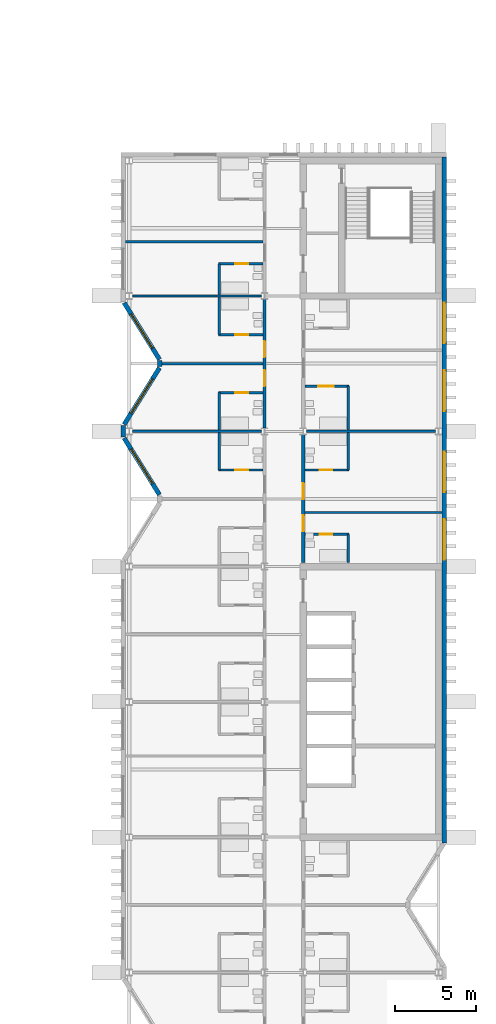
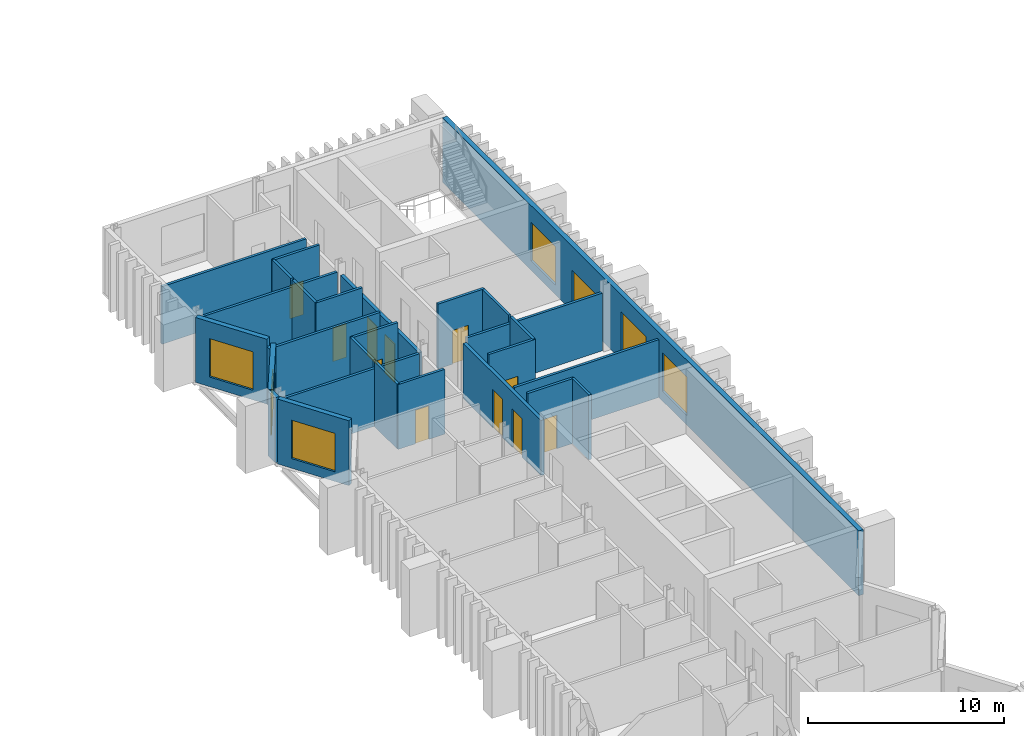
# One storey, part 15 of 20: 28 walls, 11 doors, 7 windows, 18 openings.
"""IFC4 building model written with IfcOpenShell, lengths in metres."""

from ifc_helpers import new_model, si_unit, direction, frame, frame_2d, origin, place, context, subcontext, project, spatial, rectangle, extrude, material, layer, layer_set, type_object, element, fill, save


model = new_model("IFC4")

# Units and contexts
model_context = context("Model", 3, precision=1e-05, world=origin(), true_north=direction((0.0, 1.0)))
body_context = subcontext(model_context, "Body", "Model", "MODEL_VIEW")
ifc_project = project(units=[si_unit("LENGTHUNIT", "METRE"), si_unit("AREAUNIT", "SQUARE_METRE"), si_unit("VOLUMEUNIT", "CUBIC_METRE"), si_unit("PLANEANGLEUNIT", "RADIAN"), si_unit("MASSUNIT", "GRAM", prefix="KILO")], contexts=[model_context])

# Site, building, storey
site_placement = place(None, origin())
site = spatial("IfcSite", under=ifc_project, at=site_placement, CompositionType="ELEMENT")
building_placement = place(site_placement, origin())
building = spatial("IfcBuilding", under=site, at=building_placement, Name="Cresset Court Congress Hotel", CompositionType="ELEMENT")
storey_placement = place(building_placement, frame((0.0, 0.0, 27.0)))
storey = spatial("IfcBuildingStorey", under=building, at=storey_placement, Name="L06", CompositionType="ELEMENT", Elevation=27.0)

# Wall, openings, doors
ifc_material_1 = material(Name="Gypsum board partition")
ifc_layer_1 = layer(ifc_material_1, 0.199951171875)
ifc_layer_set_1 = layer_set([ifc_layer_1], Name="Corridor wall 200")
wall_type_1 = type_object("IfcWallType", Name="Corridor wall 200", PredefinedType="PARTITIONING", material=ifc_layer_set_1)
wall_1_placement = place(storey_placement, frame((165.60009765625, 50.60009765625, 0.0), z_axis=(0.0, 0.0, 1.0), x_axis=(0.0, 1.0, 0.0)))
wall_1 = element("IfcWall", 1, at=wall_1_placement, inside=storey, type_object=wall_type_1, Name="A.wl.L06.076", PredefinedType="PARTITIONING", context=body_context, shape_type="SweptSolid", body=[
    extrude(rectangle(XDim=8.0, YDim=0.199951171875, at=frame_2d((4.0, 0.0))), origin(), (0.0, 0.0, 1.0), 3.449951171875),
])
opening_1_placement = place(wall_1_placement, frame((2.60009765625, 0.0, 0.0)))
opening_1 = element("IfcOpeningElement", 2, at=opening_1_placement, cuts=wall_1, Name="Opening DA-06-26", PredefinedType="OPENING", context=body_context, shape_type="SweptSolid", body=[
    extrude(rectangle(XDim=1.0, YDim=2.39990234375, at=frame_2d((0.5, 1.199951171875))), frame((0.0, 0.10986328125, 0.0), z_axis=(0.0, -1.0, 0.0), x_axis=(1.0, 0.0, 0.0)), (0.0, 0.0, 1.0), 0.219970703125),
])
opening_2_placement = place(wall_1_placement, frame((4.39990234375, 0.0, 0.0)))
opening_2 = element("IfcOpeningElement", 3, at=opening_2_placement, cuts=wall_1, Name="Opening DA-06-28", PredefinedType="OPENING", context=body_context, shape_type="SweptSolid", body=[
    extrude(rectangle(XDim=1.0, YDim=2.39990234375, at=frame_2d((0.5, 1.199951171875))), frame((0.0, 0.10986328125, 0.0), z_axis=(0.0, -1.0, 0.0), x_axis=(1.0, 0.0, 0.0)), (0.0, 0.0, 1.0), 0.219970703125),
])
ifc_material_2 = material(Name="timber", Category="wood")
door_type_1 = type_object("IfcDoorType", Name="Guest-room entry door 1000x2400 FD30S", OperationType="SINGLE_SWING_LEFT", PredefinedType="DOOR", material=ifc_material_2)
door_1_placement = place(opening_1_placement, origin())
door_1 = element("IfcDoor", 4, at=door_1_placement, inside=storey, type_object=door_type_1, Name="Door DA-06-26", OperationType="SINGLE_SWING_RIGHT", OverallHeight=2.39990234375, OverallWidth=1.0, PredefinedType="DOOR", context=body_context, shape_type="SweptSolid", body=[
    extrude(rectangle(XDim=1.0, YDim=2.39990234375, at=frame_2d((0.5, 1.199951171875))), frame((0.0, 0.02490234375, 0.0), z_axis=(0.0, -1.0, 0.0), x_axis=(1.0, 0.0, 0.0)), (0.0, 0.0, 1.0), 0.050048828125),
])
fill(opening_1, door_1)
door_2_placement = place(opening_2_placement, origin())
door_2 = element("IfcDoor", 5, at=door_2_placement, inside=storey, type_object=door_type_1, Name="Door DA-06-28", OperationType="SINGLE_SWING_LEFT", OverallHeight=2.39990234375, OverallWidth=1.0, PredefinedType="DOOR", context=body_context, shape_type="SweptSolid", body=[
    extrude(rectangle(XDim=1.0, YDim=2.39990234375, at=frame_2d((0.5, 1.199951171875))), frame((0.0, 0.02490234375, 0.0), z_axis=(0.0, -1.0, 0.0), x_axis=(1.0, 0.0, 0.0)), (0.0, 0.0, 1.0), 0.050048828125),
])
fill(opening_2, door_2)

wall_2_placement = place(storey_placement, frame((168.0, 42.25, 0.0), z_axis=(0.0, 0.0, 1.0), x_axis=(0.0, 1.0, 0.0)))
wall_2 = element("IfcWall", 6, at=wall_2_placement, inside=storey, type_object=wall_type_1, Name="A.wl.L06.080", PredefinedType="PARTITIONING", context=body_context, shape_type="SweptSolid", body=[
    extrude(rectangle(XDim=7.949951171875, YDim=0.199951171875, at=frame_2d((3.97509765625, 0.0))), origin(), (0.0, 0.0, 1.0), 3.449951171875),
])
opening_3_placement = place(wall_2_placement, frame((1.929931640625, 0.0, 0.0)))
opening_3 = element("IfcOpeningElement", 7, at=opening_3_placement, cuts=wall_2, Name="Opening DA-06-42", PredefinedType="OPENING", context=body_context, shape_type="SweptSolid", body=[
    extrude(rectangle(XDim=1.0, YDim=2.39990234375, at=frame_2d((0.5, 1.199951171875))), frame((0.0, 0.10986328125, 0.0), z_axis=(0.0, -1.0, 0.0), x_axis=(1.0, 0.0, 0.0)), (0.0, 0.0, 1.0), 0.219970703125),
])
opening_4_placement = place(wall_2_placement, frame((3.929931640625, 0.0, 0.0)))
opening_4 = element("IfcOpeningElement", 8, at=opening_4_placement, cuts=wall_2, Name="Opening DA-06-44", PredefinedType="OPENING", context=body_context, shape_type="SweptSolid", body=[
    extrude(rectangle(XDim=1.0, YDim=2.39990234375, at=frame_2d((0.5, 1.199951171875))), frame((0.0, 0.10986328125, 0.0), z_axis=(0.0, -1.0, 0.0), x_axis=(1.0, 0.0, 0.0)), (0.0, 0.0, 1.0), 0.219970703125),
])
door_3_placement = place(opening_3_placement, origin())
door_3 = element("IfcDoor", 9, at=door_3_placement, inside=storey, type_object=door_type_1, Name="Door DA-06-42", OperationType="SINGLE_SWING_RIGHT", OverallHeight=2.39990234375, OverallWidth=1.0, PredefinedType="DOOR", context=body_context, shape_type="SweptSolid", body=[
    extrude(rectangle(XDim=1.0, YDim=2.39990234375, at=frame_2d((0.5, 1.199951171875))), frame((0.0, 0.02490234375, 0.0), z_axis=(0.0, -1.0, 0.0), x_axis=(1.0, 0.0, 0.0)), (0.0, 0.0, 1.0), 0.050048828125),
])
fill(opening_3, door_3)
door_4_placement = place(opening_4_placement, origin())
door_4 = element("IfcDoor", 10, at=door_4_placement, inside=storey, type_object=door_type_1, Name="Door DA-06-44", OperationType="SINGLE_SWING_LEFT", OverallHeight=2.39990234375, OverallWidth=1.0, PredefinedType="DOOR", context=body_context, shape_type="SweptSolid", body=[
    extrude(rectangle(XDim=1.0, YDim=2.39990234375, at=frame_2d((0.5, 1.199951171875))), frame((0.0, 0.02490234375, 0.0), z_axis=(0.0, -1.0, 0.0), x_axis=(1.0, 0.0, 0.0)), (0.0, 0.0, 1.0), 0.050048828125),
])
fill(opening_4, door_4)

# Wall
ifc_material_3 = material(Name="Gypsum board partition")
ifc_layer_2 = layer(ifc_material_3, 0.14990234375)
ifc_layer_set_2 = layer_set([ifc_layer_2], Name="En-suite wall 150")
wall_type_2 = type_object("IfcWallType", Name="En-suite wall 150", PredefinedType="PARTITIONING", material=ifc_layer_set_2)
wall_3_placement = place(storey_placement, frame((162.800048828125, 48.0, 0.0), z_axis=(0.0, 0.0, 1.0), x_axis=(0.0, 1.0, 0.0)))
element("IfcWall", 11, at=wall_3_placement, inside=storey, type_object=wall_type_2, Name="A.wl.L06.023", PredefinedType="PARTITIONING", context=body_context, shape_type="SweptSolid", body=[
    extrude(rectangle(XDim=2.324951171875, YDim=0.14990234375, at=frame_2d((1.16259765625, 0.0))), origin(), (0.0, 0.0, 1.0), 4.050048828125),
])

# Wall, opening, door
wall_4_placement = place(storey_placement, frame((162.75, 48.0, 0.0), z_axis=(0.0, 0.0, 1.0), x_axis=(1.0, 0.0, 0.0)))
wall_4 = element("IfcWall", 12, at=wall_4_placement, inside=storey, type_object=wall_type_2, Name="A.wl.L06.024", PredefinedType="PARTITIONING", context=body_context, shape_type="SweptSolid", body=[
    extrude(rectangle(XDim=2.75, YDim=0.14990234375, at=frame_2d((1.375, 0.0))), origin(), (0.0, 0.0, 1.0), 4.050048828125),
])
opening_5_placement = place(wall_4_placement, frame((1.030029296875, 0.0, 0.0)))
opening_5 = element("IfcOpeningElement", 13, at=opening_5_placement, cuts=wall_4, Name="Opening DA-06-23", PredefinedType="OPENING", context=body_context, shape_type="SweptSolid", body=[
    extrude(rectangle(XDim=0.800048828125, YDim=2.10009765625, at=frame_2d((0.39990234375, 1.050048828125))), frame((0.0, 0.0849609375, 0.0), z_axis=(0.0, -1.0, 0.0), x_axis=(1.0, 0.0, 0.0)), (0.0, 0.0, 1.0), 0.169921875),
])
ifc_material_4 = material(Name="timber", Category="wood")
door_type_2 = type_object("IfcDoorType", Name="En-suite door 800x2100", OperationType="SINGLE_SWING_LEFT", PredefinedType="DOOR", material=ifc_material_4)
door_5_placement = place(opening_5_placement, origin())
door_5 = element("IfcDoor", 14, at=door_5_placement, inside=storey, type_object=door_type_2, Name="Door DA-06-23", OperationType="SINGLE_SWING_LEFT", OverallHeight=2.10009765625, OverallWidth=0.800048828125, PredefinedType="DOOR", context=body_context, shape_type="SweptSolid", body=[
    extrude(rectangle(XDim=0.800048828125, YDim=2.10009765625, at=frame_2d((0.39990234375, 1.050048828125))), frame((0.0, 0.02490234375, 0.0), z_axis=(0.0, -1.0, 0.0), x_axis=(1.0, 0.0, 0.0)), (0.0, 0.0, 1.0), 0.050048828125),
])
fill(opening_5, door_5)

# Wall
wall_5_placement = place(storey_placement, frame((162.800048828125, 50.47509765625, 0.0), z_axis=(0.0, 0.0, 1.0), x_axis=(0.0, 1.0, 0.0)))
element("IfcWall", 15, at=wall_5_placement, inside=storey, type_object=wall_type_2, Name="A.wl.L06.025", PredefinedType="PARTITIONING", context=body_context, shape_type="SweptSolid", body=[
    extrude(rectangle(XDim=2.324951171875, YDim=0.14990234375, at=frame_2d((1.16259765625, 0.0))), origin(), (0.0, 0.0, 1.0), 4.050048828125),
])

# Wall, opening, door
wall_6_placement = place(storey_placement, frame((162.75, 52.800048828125, 0.0), z_axis=(0.0, 0.0, 1.0), x_axis=(1.0, 0.0, 0.0)))
wall_6 = element("IfcWall", 16, at=wall_6_placement, inside=storey, type_object=wall_type_2, Name="A.wl.L06.026", PredefinedType="PARTITIONING", context=body_context, shape_type="SweptSolid", body=[
    extrude(rectangle(XDim=2.75, YDim=0.14990234375, at=frame_2d((1.375, 0.0))), origin(), (0.0, 0.0, 1.0), 4.050048828125),
])
opening_6_placement = place(wall_6_placement, frame((1.030029296875, 0.0, 0.0)))
opening_6 = element("IfcOpeningElement", 17, at=opening_6_placement, cuts=wall_6, Name="Opening DA-06-25", PredefinedType="OPENING", context=body_context, shape_type="SweptSolid", body=[
    extrude(rectangle(XDim=0.800048828125, YDim=2.10009765625, at=frame_2d((0.39990234375, 1.050048828125))), frame((0.0, 0.0849609375, 0.0), z_axis=(0.0, -1.0, 0.0), x_axis=(1.0, 0.0, 0.0)), (0.0, 0.0, 1.0), 0.169921875),
])
door_6_placement = place(opening_6_placement, origin())
door_6 = element("IfcDoor", 18, at=door_6_placement, inside=storey, type_object=door_type_2, Name="Door DA-06-25", OperationType="SINGLE_SWING_RIGHT", OverallHeight=2.10009765625, OverallWidth=0.800048828125, PredefinedType="DOOR", context=body_context, shape_type="SweptSolid", body=[
    extrude(rectangle(XDim=0.800048828125, YDim=2.10009765625, at=frame_2d((0.39990234375, 1.050048828125))), frame((0.0, 0.02490234375, 0.0), z_axis=(0.0, -1.0, 0.0), x_axis=(1.0, 0.0, 0.0)), (0.0, 0.0, 1.0), 0.050048828125),
])
fill(opening_6, door_6)

# Wall
wall_7_placement = place(storey_placement, frame((162.800048828125, 56.39990234375, 0.0), z_axis=(0.0, 0.0, 1.0), x_axis=(0.0, 1.0, 0.0)))
element("IfcWall", 19, at=wall_7_placement, inside=storey, type_object=wall_type_2, Name="A.wl.L06.027", PredefinedType="PARTITIONING", context=body_context, shape_type="SweptSolid", body=[
    extrude(rectangle(XDim=2.3251953125, YDim=0.14990234375, at=frame_2d((1.16259765625, 0.0))), origin(), (0.0, 0.0, 1.0), 4.050048828125),
])

# Wall, opening, door
wall_8_placement = place(storey_placement, frame((162.75, 56.39990234375, 0.0), z_axis=(0.0, 0.0, 1.0), x_axis=(1.0, 0.0, 0.0)))
wall_8 = element("IfcWall", 20, at=wall_8_placement, inside=storey, type_object=wall_type_2, Name="A.wl.L06.028", PredefinedType="PARTITIONING", context=body_context, shape_type="SweptSolid", body=[
    extrude(rectangle(XDim=2.75, YDim=0.14990234375, at=frame_2d((1.375, 0.0))), origin(), (0.0, 0.0, 1.0), 4.050048828125),
])
opening_7_placement = place(wall_8_placement, frame((1.030029296875, 0.0, 0.0)))
opening_7 = element("IfcOpeningElement", 21, at=opening_7_placement, cuts=wall_8, Name="Opening DA-06-27", PredefinedType="OPENING", context=body_context, shape_type="SweptSolid", body=[
    extrude(rectangle(XDim=0.800048828125, YDim=2.10009765625, at=frame_2d((0.39990234375, 1.050048828125))), frame((0.0, 0.0849609375, 0.0), z_axis=(0.0, -1.0, 0.0), x_axis=(1.0, 0.0, 0.0)), (0.0, 0.0, 1.0), 0.169921875),
])
door_7_placement = place(opening_7_placement, origin())
door_7 = element("IfcDoor", 22, at=door_7_placement, inside=storey, type_object=door_type_2, Name="Door DA-06-27", OperationType="SINGLE_SWING_LEFT", OverallHeight=2.10009765625, OverallWidth=0.800048828125, PredefinedType="DOOR", context=body_context, shape_type="SweptSolid", body=[
    extrude(rectangle(XDim=0.800048828125, YDim=2.10009765625, at=frame_2d((0.39990234375, 1.050048828125))), frame((0.0, 0.02490234375, 0.0), z_axis=(0.0, -1.0, 0.0), x_axis=(1.0, 0.0, 0.0)), (0.0, 0.0, 1.0), 0.050048828125),
])
fill(opening_7, door_7)

# Wall
wall_9_placement = place(storey_placement, frame((162.800048828125, 58.875, 0.0), z_axis=(0.0, 0.0, 1.0), x_axis=(0.0, 1.0, 0.0)))
element("IfcWall", 23, at=wall_9_placement, inside=storey, type_object=wall_type_2, Name="A.wl.L06.029", PredefinedType="PARTITIONING", context=body_context, shape_type="SweptSolid", body=[
    extrude(rectangle(XDim=1.925048828125, YDim=0.14990234375, at=frame_2d((0.96240234375, 0.0))), origin(), (0.0, 0.0, 1.0), 4.050048828125),
])

# Wall, opening, door
wall_10_placement = place(storey_placement, frame((162.75, 60.800048828125, 0.0), z_axis=(0.0, 0.0, 1.0), x_axis=(1.0, 0.0, 0.0)))
wall_10 = element("IfcWall", 24, at=wall_10_placement, inside=storey, type_object=wall_type_2, Name="A.wl.L06.030", PredefinedType="PARTITIONING", context=body_context, shape_type="SweptSolid", body=[
    extrude(rectangle(XDim=2.75, YDim=0.14990234375, at=frame_2d((1.375, 0.0))), origin(), (0.0, 0.0, 1.0), 4.050048828125),
])
opening_8_placement = place(wall_10_placement, frame((1.030029296875, 0.0, 0.0)))
opening_8 = element("IfcOpeningElement", 25, at=opening_8_placement, cuts=wall_10, Name="Opening DA-06-29", PredefinedType="OPENING", context=body_context, shape_type="SweptSolid", body=[
    extrude(rectangle(XDim=0.800048828125, YDim=2.10009765625, at=frame_2d((0.39990234375, 1.050048828125))), frame((0.0, 0.0849609375, 0.0), z_axis=(0.0, -1.0, 0.0), x_axis=(1.0, 0.0, 0.0)), (0.0, 0.0, 1.0), 0.169921875),
])
door_8_placement = place(opening_8_placement, origin())
door_8 = element("IfcDoor", 26, at=door_8_placement, inside=storey, type_object=door_type_2, Name="Door DA-06-29", OperationType="SINGLE_SWING_RIGHT", OverallHeight=2.10009765625, OverallWidth=0.800048828125, PredefinedType="DOOR", context=body_context, shape_type="SweptSolid", body=[
    extrude(rectangle(XDim=0.800048828125, YDim=2.10009765625, at=frame_2d((0.39990234375, 1.050048828125))), frame((0.0, 0.02490234375, 0.0), z_axis=(0.0, -1.0, 0.0), x_axis=(1.0, 0.0, 0.0)), (0.0, 0.0, 1.0), 0.050048828125),
])
fill(opening_8, door_8)

# Wall
wall_11_placement = place(storey_placement, frame((170.800048828125, 42.25, 0.0), z_axis=(0.0, 0.0, 1.0), x_axis=(0.0, 1.0, 0.0)))
element("IfcWall", 27, at=wall_11_placement, inside=storey, type_object=wall_type_2, Name="A.wl.L06.041", PredefinedType="PARTITIONING", context=body_context, shape_type="SweptSolid", body=[
    extrude(rectangle(XDim=1.75, YDim=0.14990234375, at=frame_2d((0.875, 0.0))), origin(), (0.0, 0.0, 1.0), 4.050048828125),
])

# Wall, opening, door
wall_12_placement = place(storey_placement, frame((170.85009765625, 44.0, 0.0), z_axis=(0.0, 0.0, 1.0), x_axis=(-1.0, 0.0, 0.0)))
wall_12 = element("IfcWall", 28, at=wall_12_placement, inside=storey, type_object=wall_type_2, Name="A.wl.L06.042", PredefinedType="PARTITIONING", context=body_context, shape_type="SweptSolid", body=[
    extrude(rectangle(XDim=2.75, YDim=0.14990234375, at=frame_2d((1.375, 0.0))), origin(), (0.0, 0.0, 1.0), 4.050048828125),
])
opening_9_placement = place(wall_12_placement, frame((1.030029296875, 0.0, 0.0)))
opening_9 = element("IfcOpeningElement", 29, at=opening_9_placement, cuts=wall_12, Name="Opening DA-06-41", PredefinedType="OPENING", context=body_context, shape_type="SweptSolid", body=[
    extrude(rectangle(XDim=0.800048828125, YDim=2.10009765625, at=frame_2d((0.39990234375, 1.050048828125))), frame((0.0, 0.0849609375, 0.0), z_axis=(0.0, -1.0, 0.0), x_axis=(1.0, 0.0, 0.0)), (0.0, 0.0, 1.0), 0.169921875),
])
door_9_placement = place(opening_9_placement, origin())
door_9 = element("IfcDoor", 30, at=door_9_placement, inside=storey, type_object=door_type_2, Name="Door DA-06-41", OperationType="SINGLE_SWING_RIGHT", OverallHeight=2.10009765625, OverallWidth=0.800048828125, PredefinedType="DOOR", context=body_context, shape_type="SweptSolid", body=[
    extrude(rectangle(XDim=0.800048828125, YDim=2.10009765625, at=frame_2d((0.39990234375, 1.050048828125))), frame((0.0, 0.02490234375, 0.0), z_axis=(0.0, -1.0, 0.0), x_axis=(1.0, 0.0, 0.0)), (0.0, 0.0, 1.0), 0.050048828125),
])
fill(opening_9, door_9)

# Wall
wall_13_placement = place(storey_placement, frame((170.800048828125, 48.0, 0.0), z_axis=(0.0, 0.0, 1.0), x_axis=(0.0, 1.0, 0.0)))
element("IfcWall", 31, at=wall_13_placement, inside=storey, type_object=wall_type_2, Name="A.wl.L06.043", PredefinedType="PARTITIONING", context=body_context, shape_type="SweptSolid", body=[
    extrude(rectangle(XDim=2.324951171875, YDim=0.14990234375, at=frame_2d((1.16259765625, 0.0))), origin(), (0.0, 0.0, 1.0), 4.050048828125),
])

# Wall, opening, door
wall_14_placement = place(storey_placement, frame((170.85009765625, 48.0, 0.0), z_axis=(0.0, 0.0, 1.0), x_axis=(-1.0, 0.0, 0.0)))
wall_14 = element("IfcWall", 32, at=wall_14_placement, inside=storey, type_object=wall_type_2, Name="A.wl.L06.044", PredefinedType="PARTITIONING", context=body_context, shape_type="SweptSolid", body=[
    extrude(rectangle(XDim=2.75, YDim=0.14990234375, at=frame_2d((1.375, 0.0))), origin(), (0.0, 0.0, 1.0), 4.050048828125),
])
opening_10_placement = place(wall_14_placement, frame((1.030029296875, 0.0, 0.0)))
opening_10 = element("IfcOpeningElement", 33, at=opening_10_placement, cuts=wall_14, Name="Opening DA-06-43", PredefinedType="OPENING", context=body_context, shape_type="SweptSolid", body=[
    extrude(rectangle(XDim=0.800048828125, YDim=2.10009765625, at=frame_2d((0.39990234375, 1.050048828125))), frame((0.0, 0.0849609375, 0.0), z_axis=(0.0, -1.0, 0.0), x_axis=(1.0, 0.0, 0.0)), (0.0, 0.0, 1.0), 0.169921875),
])
door_10_placement = place(opening_10_placement, origin())
door_10 = element("IfcDoor", 34, at=door_10_placement, inside=storey, type_object=door_type_2, Name="Door DA-06-43", OperationType="SINGLE_SWING_LEFT", OverallHeight=2.10009765625, OverallWidth=0.800048828125, PredefinedType="DOOR", context=body_context, shape_type="SweptSolid", body=[
    extrude(rectangle(XDim=0.800048828125, YDim=2.10009765625, at=frame_2d((0.39990234375, 1.050048828125))), frame((0.0, 0.02490234375, 0.0), z_axis=(0.0, -1.0, 0.0), x_axis=(1.0, 0.0, 0.0)), (0.0, 0.0, 1.0), 0.050048828125),
])
fill(opening_10, door_10)

# Wall
wall_15_placement = place(storey_placement, frame((170.800048828125, 50.47509765625, 0.0), z_axis=(0.0, 0.0, 1.0), x_axis=(0.0, 1.0, 0.0)))
element("IfcWall", 35, at=wall_15_placement, inside=storey, type_object=wall_type_2, Name="A.wl.L06.045", PredefinedType="PARTITIONING", context=body_context, shape_type="SweptSolid", body=[
    extrude(rectangle(XDim=2.724853515625, YDim=0.14990234375, at=frame_2d((1.3623046875, 0.0))), origin(), (0.0, 0.0, 1.0), 4.050048828125),
])

# Wall, opening, door
wall_16_placement = place(storey_placement, frame((170.85009765625, 53.199951171875, 0.0), z_axis=(0.0, 0.0, 1.0), x_axis=(-1.0, 0.0, 0.0)))
wall_16 = element("IfcWall", 36, at=wall_16_placement, inside=storey, type_object=wall_type_2, Name="A.wl.L06.046", PredefinedType="PARTITIONING", context=body_context, shape_type="SweptSolid", body=[
    extrude(rectangle(XDim=2.75, YDim=0.14990234375, at=frame_2d((1.375, 0.0))), origin(), (0.0, 0.0, 1.0), 4.050048828125),
])
opening_11_placement = place(wall_16_placement, frame((0.955078125, 0.0, 0.0)))
opening_11 = element("IfcOpeningElement", 37, at=opening_11_placement, cuts=wall_16, Name="Opening DA-06-45", PredefinedType="OPENING", context=body_context, shape_type="SweptSolid", body=[
    extrude(rectangle(XDim=0.949951171875, YDim=2.10009765625, at=frame_2d((0.47509765625, 1.050048828125))), frame((0.0, 0.0849609375, 0.0), z_axis=(0.0, -1.0, 0.0), x_axis=(1.0, 0.0, 0.0)), (0.0, 0.0, 1.0), 0.169921875),
])
ifc_material_5 = material(Name="timber", Category="wood")
door_type_3 = type_object("IfcDoorType", Name="Accessible en-suite door 950x2100", OperationType="SINGLE_SWING_LEFT", PredefinedType="DOOR", material=ifc_material_5)
door_11_placement = place(opening_11_placement, origin())
door_11 = element("IfcDoor", 38, at=door_11_placement, inside=storey, type_object=door_type_3, Name="Door DA-06-45", OperationType="SINGLE_SWING_RIGHT", OverallHeight=2.10009765625, OverallWidth=0.949951171875, PredefinedType="DOOR", context=body_context, shape_type="SweptSolid", body=[
    extrude(rectangle(XDim=0.949951171875, YDim=2.10009765625, at=frame_2d((0.47509765625, 1.050048828125))), frame((0.0, 0.02490234375, 0.0), z_axis=(0.0, -1.0, 0.0), x_axis=(1.0, 0.0, 0.0)), (0.0, 0.0, 1.0), 0.050048828125),
])
fill(opening_11, door_11)

# Wall, opening, window
ifc_material_6 = material(Name="Precast concrete C50", Category="concrete")
ifc_layer_3 = layer(ifc_material_6, 0.280029296875)
ifc_layer_set_3 = layer_set([ifc_layer_3], Name="External wall 280")
wall_type_3 = type_object("IfcWallType", Name="External wall 280", PredefinedType="SOLIDWALL", material=ifc_layer_set_3)
wall_17_placement = place(storey_placement, frame((159.07861328125, 46.458984375, 0.0), z_axis=(0.0, 0.0, 1.0), x_axis=(-0.529018946142, 0.848610013271, 0.0)))
wall_17 = element("IfcWall", 39, at=wall_17_placement, inside=storey, type_object=wall_type_3, Name="A.ew.L06.Wn.5.1", PredefinedType="SOLIDWALL", context=body_context, shape_type="SweptSolid", body=[
    extrude(rectangle(XDim=4.144287109375, YDim=0.280029296875, at=frame_2d((2.072265625, 0.0))), origin(), (0.0, 0.0, 1.0), 4.050048828125),
])
opening_12_placement = place(wall_17_placement, frame((0.812255859375, 0.0, 0.60009765625)))
opening_12 = element("IfcOpeningElement", 40, at=opening_12_placement, cuts=wall_17, Name="Opening NA-06-12", PredefinedType="OPENING", context=body_context, shape_type="SweptSolid", body=[
    extrude(rectangle(XDim=2.52001953125, YDim=2.39990234375, at=frame_2d((1.260009765625, 1.199951171875))), frame((0.0, 0.14990234375, 0.0), z_axis=(0.0, -1.0, 0.0), x_axis=(1.0, 0.0, 0.0)), (0.0, 0.0, 1.0), 0.300048828125),
])
ifc_material_7 = material(Name="Aluminium and glass", Category="aluminium")
window_type_1 = type_object("IfcWindowType", Name="Window 2520x2400", PartitioningType="SINGLE_PANEL", PredefinedType="WINDOW", material=ifc_material_7)
window_1_placement = place(opening_12_placement, origin())
window_1 = element("IfcWindow", 41, at=window_1_placement, inside=storey, type_object=window_type_1, Name="Window NA-06-12", OverallHeight=2.39990234375, OverallWidth=2.52001953125, PartitioningType="SINGLE_PANEL", PredefinedType="WINDOW", context=body_context, shape_type="SweptSolid", body=[
    extrude(rectangle(XDim=2.52001953125, YDim=2.39990234375, at=frame_2d((1.260009765625, 1.199951171875))), frame((0.0, 0.030029296875, 0.0), z_axis=(0.0, -1.0, 0.0), x_axis=(1.0, 0.0, 0.0)), (0.0, 0.0, 1.0), 0.06005859375),
])
fill(opening_12, window_1)

# Wall
wall_18_placement = place(storey_placement, frame((156.840087890625, 50.050048828125, 0.0), z_axis=(0.0, 0.0, 1.0), x_axis=(0.0, 1.0, 0.0)))
element("IfcWall", 42, at=wall_18_placement, inside=storey, type_object=wall_type_3, Name="A.ew.L06.W.4", PredefinedType="SOLIDWALL", context=body_context, shape_type="SweptSolid", body=[
    extrude(rectangle(XDim=0.699951171875, YDim=0.280029296875, at=frame_2d((0.35009765625, 0.0))), origin(), (0.0, 0.0, 1.0), 4.050048828125),
])

# Wall, opening, window
wall_19_placement = place(storey_placement, frame((156.88623046875, 50.82421875, 0.0), z_axis=(0.0, 0.0, 1.0), x_axis=(0.529018946142, 0.848610013271, 0.0)))
wall_19 = element("IfcWall", 43, at=wall_19_placement, inside=storey, type_object=wall_type_3, Name="A.ew.L06.Wn.6.0", PredefinedType="SOLIDWALL", context=body_context, shape_type="SweptSolid", body=[
    extrude(rectangle(XDim=4.144287109375, YDim=0.280029296875, at=frame_2d((2.072265625, 0.0))), origin(), (0.0, 0.0, 1.0), 4.050048828125),
])
opening_13_placement = place(wall_19_placement, frame((0.812255859375, 0.0, 0.60009765625)))
opening_13 = element("IfcOpeningElement", 44, at=opening_13_placement, cuts=wall_19, Name="Opening NA-06-13", PredefinedType="OPENING", context=body_context, shape_type="SweptSolid", body=[
    extrude(rectangle(XDim=2.52001953125, YDim=2.39990234375, at=frame_2d((1.260009765625, 1.199951171875))), frame((0.0, 0.14990234375, 0.0), z_axis=(0.0, -1.0, 0.0), x_axis=(1.0, 0.0, 0.0)), (0.0, 0.0, 1.0), 0.300048828125),
])
window_2_placement = place(opening_13_placement, origin())
window_2 = element("IfcWindow", 45, at=window_2_placement, inside=storey, type_object=window_type_1, Name="Window NA-06-13", OverallHeight=2.39990234375, OverallWidth=2.52001953125, PartitioningType="SINGLE_PANEL", PredefinedType="WINDOW", context=body_context, shape_type="SweptSolid", body=[
    extrude(rectangle(XDim=2.52001953125, YDim=2.39990234375, at=frame_2d((1.260009765625, 1.199951171875))), frame((0.0, 0.030029296875, 0.0), z_axis=(0.0, -1.0, 0.0), x_axis=(1.0, 0.0, 0.0)), (0.0, 0.0, 1.0), 0.06005859375),
])
fill(opening_13, window_2)

wall_20_placement = place(storey_placement, frame((159.07861328125, 54.85888671875, 0.0), z_axis=(0.0, 0.0, 1.0), x_axis=(-0.528992500338, 0.848626498871, 0.0)))
wall_20 = element("IfcWall", 46, at=wall_20_placement, inside=storey, type_object=wall_type_3, Name="A.ew.L06.Wn.6.1", PredefinedType="SOLIDWALL", context=body_context, shape_type="SweptSolid", body=[
    extrude(rectangle(XDim=4.14453125, YDim=0.280029296875, at=frame_2d((2.072265625, 0.0))), origin(), (0.0, 0.0, 1.0), 4.050048828125),
])
opening_14_placement = place(wall_20_placement, frame((0.812255859375, 0.0, 0.60009765625)))
opening_14 = element("IfcOpeningElement", 47, at=opening_14_placement, cuts=wall_20, Name="Opening NA-06-14", PredefinedType="OPENING", context=body_context, shape_type="SweptSolid", body=[
    extrude(rectangle(XDim=2.52001953125, YDim=2.39990234375, at=frame_2d((1.260009765625, 1.199951171875))), frame((0.0, 0.14990234375, 0.0), z_axis=(0.0, -1.0, 0.0), x_axis=(1.0, 0.0, 0.0)), (0.0, 0.0, 1.0), 0.300048828125),
])
window_3_placement = place(opening_14_placement, origin())
window_3 = element("IfcWindow", 48, at=window_3_placement, inside=storey, type_object=window_type_1, Name="Window NA-06-14", OverallHeight=2.39990234375, OverallWidth=2.52001953125, PartitioningType="SINGLE_PANEL", PredefinedType="WINDOW", context=body_context, shape_type="SweptSolid", body=[
    extrude(rectangle(XDim=2.52001953125, YDim=2.39990234375, at=frame_2d((1.260009765625, 1.199951171875))), frame((0.0, 0.030029296875, 0.0), z_axis=(0.0, -1.0, 0.0), x_axis=(1.0, 0.0, 0.0)), (0.0, 0.0, 1.0), 0.06005859375),
])
fill(opening_14, window_3)

# Wall
wall_21_placement = place(storey_placement, frame((159.099609375, 54.4150390625, 0.0), z_axis=(0.0, 0.0, 1.0), x_axis=(0.0, 1.0, 0.0)))
element("IfcWall", 49, at=wall_21_placement, inside=storey, type_object=wall_type_3, Name="A.ew.L06.Wn.6.2", PredefinedType="SOLIDWALL", context=body_context, shape_type="SweptSolid", body=[
    extrude(rectangle(XDim=0.369873046875, YDim=0.280029296875, at=frame_2d((0.18505859375, 0.0))), origin(), (0.0, 0.0, 1.0), 3.60400390625),
])

# Wall, openings, windows
wall_22_placement = place(storey_placement, frame((176.760009765625, 24.85009765625, 0.0), z_axis=(0.0, 0.0, 1.0), x_axis=(0.0, 1.0, 0.0)))
wall_22 = element("IfcWall", 50, at=wall_22_placement, inside=storey, type_object=wall_type_3, Name="A.ew.L06.E.3", PredefinedType="SOLIDWALL", context=body_context, shape_type="SweptSolid", body=[
    extrude(rectangle(XDim=42.56982421875, YDim=0.280029296875, at=frame_2d((21.284912109375, 0.0))), origin(), (0.0, 0.0, 1.0), 4.050048828125),
])
opening_15_placement = place(wall_22_placement, frame((17.570068359375, 0.0, 0.60009765625)))
opening_15 = element("IfcOpeningElement", 51, at=opening_15_placement, cuts=wall_22, Name="Opening NA-06-21", PredefinedType="OPENING", context=body_context, shape_type="SweptSolid", body=[
    extrude(rectangle(XDim=2.52001953125, YDim=2.39990234375, at=frame_2d((1.260009765625, 1.199951171875))), frame((0.0, 0.14990234375, 0.0), z_axis=(0.0, -1.0, 0.0), x_axis=(1.0, 0.0, 0.0)), (0.0, 0.0, 1.0), 0.300048828125),
])
opening_16_placement = place(wall_22_placement, frame((21.77001953125, 0.0, 0.60009765625)))
opening_16 = element("IfcOpeningElement", 52, at=opening_16_placement, cuts=wall_22, Name="Opening NA-06-22", PredefinedType="OPENING", context=body_context, shape_type="SweptSolid", body=[
    extrude(rectangle(XDim=2.52001953125, YDim=2.39990234375, at=frame_2d((1.260009765625, 1.199951171875))), frame((0.0, 0.14990234375, 0.0), z_axis=(0.0, -1.0, 0.0), x_axis=(1.0, 0.0, 0.0)), (0.0, 0.0, 1.0), 0.300048828125),
])
opening_17_placement = place(wall_22_placement, frame((26.81005859375, 0.0, 0.449951171875)))
opening_17 = element("IfcOpeningElement", 53, at=opening_17_placement, cuts=wall_22, Name="Opening NA-06-23", PredefinedType="OPENING", context=body_context, shape_type="SweptSolid", body=[
    extrude(rectangle(XDim=2.52001953125, YDim=2.10009765625, at=frame_2d((1.260009765625, 1.050048828125))), frame((0.0, 0.14990234375, 0.0), z_axis=(0.0, -1.0, 0.0), x_axis=(1.0, 0.0, 0.0)), (0.0, 0.0, 1.0), 0.300048828125),
])
opening_18_placement = place(wall_22_placement, frame((31.010009765625, 0.0, 0.60009765625)))
opening_18 = element("IfcOpeningElement", 54, at=opening_18_placement, cuts=wall_22, Name="Opening NA-06-24", PredefinedType="OPENING", context=body_context, shape_type="SweptSolid", body=[
    extrude(rectangle(XDim=2.52001953125, YDim=2.39990234375, at=frame_2d((1.260009765625, 1.199951171875))), frame((0.0, 0.14990234375, 0.0), z_axis=(0.0, -1.0, 0.0), x_axis=(1.0, 0.0, 0.0)), (0.0, 0.0, 1.0), 0.300048828125),
])
ifc_material_8 = material(Name="Aluminium and glass", Category="aluminium")
window_type_2 = type_object("IfcWindowType", Name="Window 2520x2100", PartitioningType="SINGLE_PANEL", PredefinedType="WINDOW", material=ifc_material_8)
window_4_placement = place(opening_17_placement, origin())
window_4 = element("IfcWindow", 55, at=window_4_placement, inside=storey, type_object=window_type_2, Name="Window NA-06-23", OverallHeight=2.10009765625, OverallWidth=2.52001953125, PartitioningType="SINGLE_PANEL", PredefinedType="WINDOW", context=body_context, shape_type="SweptSolid", body=[
    extrude(rectangle(XDim=2.52001953125, YDim=2.10009765625, at=frame_2d((1.260009765625, 1.050048828125))), frame((0.0, 0.030029296875, 0.0), z_axis=(0.0, -1.0, 0.0), x_axis=(1.0, 0.0, 0.0)), (0.0, 0.0, 1.0), 0.06005859375),
])
fill(opening_17, window_4)
window_5_placement = place(opening_15_placement, origin())
window_5 = element("IfcWindow", 56, at=window_5_placement, inside=storey, type_object=window_type_1, Name="Window NA-06-21", OverallHeight=2.39990234375, OverallWidth=2.52001953125, PartitioningType="SINGLE_PANEL", PredefinedType="WINDOW", context=body_context, shape_type="SweptSolid", body=[
    extrude(rectangle(XDim=2.52001953125, YDim=2.39990234375, at=frame_2d((1.260009765625, 1.199951171875))), frame((0.0, 0.030029296875, 0.0), z_axis=(0.0, -1.0, 0.0), x_axis=(1.0, 0.0, 0.0)), (0.0, 0.0, 1.0), 0.06005859375),
])
fill(opening_15, window_5)
window_6_placement = place(opening_16_placement, origin())
window_6 = element("IfcWindow", 57, at=window_6_placement, inside=storey, type_object=window_type_1, Name="Window NA-06-22", OverallHeight=2.39990234375, OverallWidth=2.52001953125, PartitioningType="SINGLE_PANEL", PredefinedType="WINDOW", context=body_context, shape_type="SweptSolid", body=[
    extrude(rectangle(XDim=2.52001953125, YDim=2.39990234375, at=frame_2d((1.260009765625, 1.199951171875))), frame((0.0, 0.030029296875, 0.0), z_axis=(0.0, -1.0, 0.0), x_axis=(1.0, 0.0, 0.0)), (0.0, 0.0, 1.0), 0.06005859375),
])
fill(opening_16, window_6)
window_7_placement = place(opening_18_placement, origin())
window_7 = element("IfcWindow", 58, at=window_7_placement, inside=storey, type_object=window_type_1, Name="Window NA-06-24", OverallHeight=2.39990234375, OverallWidth=2.52001953125, PartitioningType="SINGLE_PANEL", PredefinedType="WINDOW", context=body_context, shape_type="SweptSolid", body=[
    extrude(rectangle(XDim=2.52001953125, YDim=2.39990234375, at=frame_2d((1.260009765625, 1.199951171875))), frame((0.0, 0.030029296875, 0.0), z_axis=(0.0, -1.0, 0.0), x_axis=(1.0, 0.0, 0.0)), (0.0, 0.0, 1.0), 0.06005859375),
])
fill(opening_18, window_7)

# Walls
ifc_material_9 = material(Name="Gypsum board partition")
ifc_layer_4 = layer(ifc_material_9, 0.14990234375)
ifc_layer_set_4 = layer_set([ifc_layer_4], Name="Guest-room partition 150")
wall_type_4 = type_object("IfcWallType", Name="Guest-room partition 150", PredefinedType="PARTITIONING", material=ifc_layer_set_4)
for number, where, z_axis, x_axis, name in (
    (59, (157.39990234375, 50.39990234375, 0.0), (0.0, 0.0, 1.0), (1.0, 0.0, 0.0), "A.wl.L06.054"),
    (60, (157.39990234375, 58.800048828125, 0.0), (0.0, 0.0, 1.0), (1.0, 0.0, 0.0), "A.wl.L06.055"),
    (61, (168.199951171875, 50.39990234375, 0.0), (0.0, 0.0, 1.0), (1.0, 0.0, 0.0), "A.wl.L06.057"),
):
    element("IfcWall", number, at=place(storey_placement, frame(where, z_axis=z_axis, x_axis=x_axis)), inside=storey, type_object=wall_type_4, Name=name, PredefinedType="PARTITIONING", context=body_context, shape_type="SweptSolid", body=[
        extrude(rectangle(XDim=8.0, YDim=0.14990234375, at=frame_2d((4.0, 0.0))), origin(), (0.0, 0.0, 1.0), 3.60400390625),
    ])
wall_23_placement = place(storey_placement, frame((159.23974609375, 54.60009765625, 0.0), z_axis=(0.0, 0.0, 1.0), x_axis=(1.0, 0.0, 0.0)))
element("IfcWall", 62, at=wall_23_placement, inside=storey, type_object=wall_type_4, Name="A.wl.L06.064", PredefinedType="PARTITIONING", context=body_context, shape_type="SweptSolid", body=[
    extrude(rectangle(XDim=6.26025390625, YDim=0.14990234375, at=frame_2d((3.130126953125, 0.0))), origin(), (0.0, 0.0, 1.0), 3.60400390625),
])
for number, where, z_axis, x_axis, name in (
    (63, (156.97998046875, 62.159912109375, 0.0), (0.0, 0.0, 1.0), (1.0, 0.0, 0.0), "A.wl.L06.065"),
    (64, (168.10009765625, 45.360107421875, 0.0), (0.0, 0.0, 1.0), (1.0, 0.0, 0.0), "A.wl.L06.068"),
):
    element("IfcWall", number, at=place(storey_placement, frame(where, z_axis=z_axis, x_axis=x_axis)), inside=storey, type_object=wall_type_4, Name=name, PredefinedType="PARTITIONING", context=body_context, shape_type="SweptSolid", body=[
        extrude(rectangle(XDim=8.52001953125, YDim=0.14990234375, at=frame_2d((4.260009765625, 0.0))), origin(), (0.0, 0.0, 1.0), 3.60400390625),
    ])

save(model, "model.ifc")
